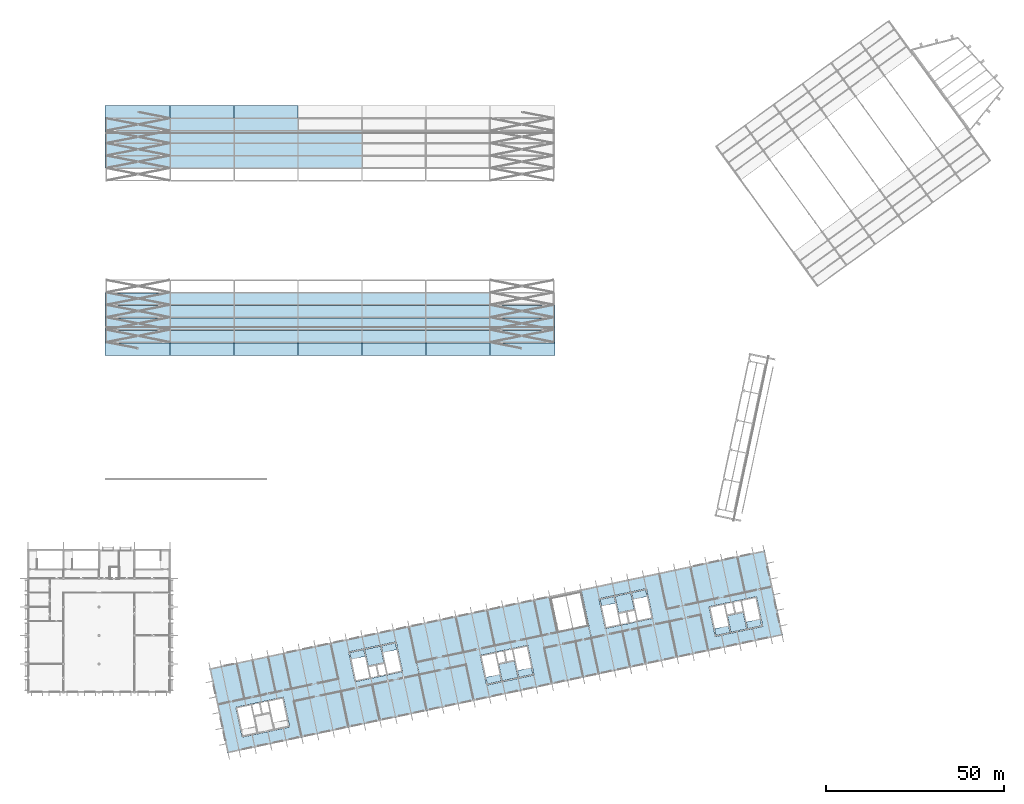
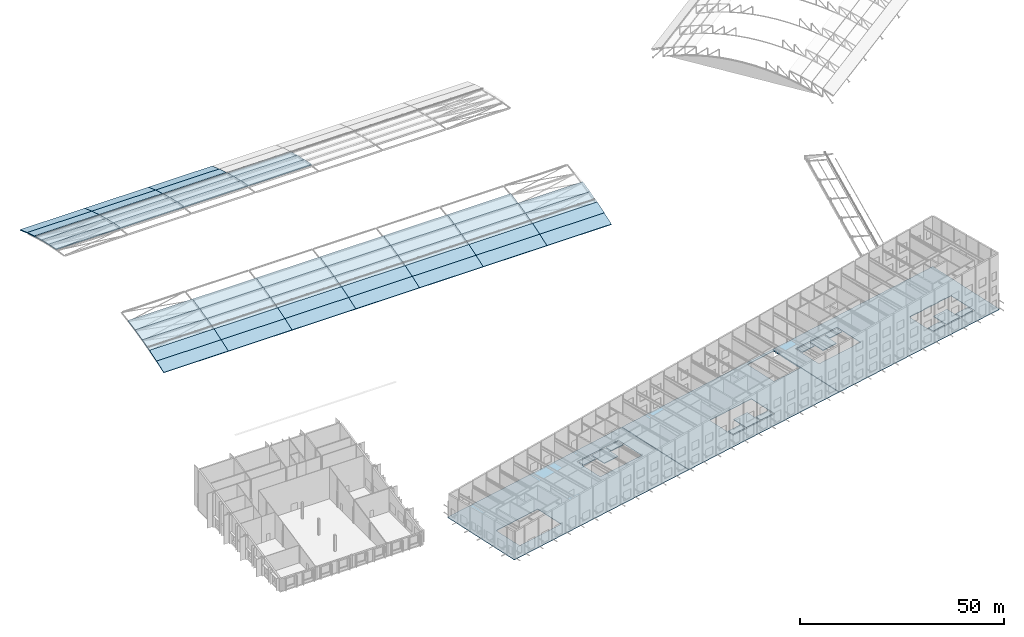
# One storey, part 35 of 69: 67 slabs.
"""IFC4 building model written with IfcOpenShell, lengths in metres."""

from ifc_helpers import new_model, si_unit, direction, frame, origin, place, context, subcontext, project, spatial, polyline, outline, extrude, material, layer, layer_set, type_object, element, save


model = new_model("IFC4")

# Units and contexts
model_context = context("Model", 3, precision=1e-05, world=origin(), true_north=direction((0.0, 1.0)))
body_context = subcontext(model_context, "Body", "Model", "MODEL_VIEW")
ifc_project = project(units=[si_unit("LENGTHUNIT", "METRE"), si_unit("AREAUNIT", "SQUARE_METRE"), si_unit("VOLUMEUNIT", "CUBIC_METRE"), si_unit("PLANEANGLEUNIT", "RADIAN"), si_unit("MASSUNIT", "GRAM", prefix="KILO")], contexts=[model_context])

# Site, building, storey
site_placement = place(None, origin())
site = spatial("IfcSite", under=ifc_project, at=site_placement, CompositionType="ELEMENT")
building_placement = place(site_placement, origin())
building = spatial("IfcBuilding", under=site, at=building_placement, Name="Okhra Congress Centre", CompositionType="ELEMENT")
storey_placement = place(building_placement, frame((0.0, 0.0, 16.800048828125)))
storey = spatial("IfcBuildingStorey", under=building, at=storey_placement, Name="L03", CompositionType="ELEMENT", Elevation=16.800048828125)

# Slabs
ifc_material_1 = material(Name="Concrete C30/37 on profiled steel deck", Category="concrete")
ifc_layer_1 = layer(ifc_material_1, 0.14990234375)
ifc_layer_set_1 = layer_set([ifc_layer_1], Name="Composite floor deck 150 REI 120 C30/37")
slab_type_1 = type_object("IfcSlabType", Name="Composite floor deck 150 REI 120 C30/37", PredefinedType="FLOOR", material=ifc_layer_set_1)
slab_1_placement = place(storey_placement, frame((0.0, 0.0, -0.150146484375)))
element("IfcSlab", 1, at=slab_1_placement, inside=storey, type_object=slab_type_1, Name="Floor slab L03 bay 1", PredefinedType="FLOOR", context=body_context, shape_type="SweptSolid", body=[
    extrude(outline(polyline([(57.05029296875, 50.733642578125), (62.1337890625, 26.81787109375), (118.23046875, 38.74169921875), (113.14697265625, 62.6572265625), (57.05029296875, 50.733642578125)]), holes=[polyline([(66.27587890625, 31.378662109375), (79.676513671875, 34.22705078125), (77.888671875, 42.63916015625), (64.488037109375, 39.790771484375), (66.27587890625, 31.378662109375)]), polyline([(96.239990234375, 55.383056640625), (98.028076171875, 46.97119140625), (111.4287109375, 49.819580078125), (109.640625, 58.2314453125), (96.239990234375, 55.383056640625)])]), origin(), (0.0, 0.0, 1.0), 0.150146484375),
])
slab_2_placement = place(storey_placement, frame((0.0, 0.0, -0.150146484375)))
element("IfcSlab", 2, at=slab_2_placement, inside=storey, type_object=slab_type_1, Name="Floor slab L03 bay 2", PredefinedType="FLOOR", context=body_context, shape_type="SweptSolid", body=[
    extrude(outline(polyline([(113.244873046875, 62.677978515625), (118.328369140625, 38.762451171875), (166.64892578125, 49.033203125), (161.5654296875, 72.948974609375), (113.244873046875, 62.677978515625)]), holes=[polyline([(146.65234375, 57.25537109375), (133.251708984375, 54.406982421875), (135.039794921875, 45.994873046875), (148.4404296875, 48.84326171875), (146.65234375, 57.25537109375)]), polyline([(153.1572265625, 70.420654296875), (155.17919921875, 60.907958984375), (163.59130859375, 62.696044921875), (161.5693359375, 72.20849609375), (153.1572265625, 70.420654296875)])]), origin(), (0.0, 0.0, 1.0), 0.150146484375),
])
slab_3_placement = place(storey_placement, frame((0.0, 0.0, -0.150146484375)))
element("IfcSlab", 3, at=slab_3_placement, inside=storey, type_object=slab_type_1, Name="Floor slab L03 bay 3", PredefinedType="FLOOR", context=body_context, shape_type="SweptSolid", body=[
    extrude(outline(polyline([(161.6630859375, 72.9697265625), (166.74658203125, 49.053955078125), (218.441650390625, 60.042236328125), (213.3583984375, 83.957763671875), (161.6630859375, 72.9697265625)]), holes=[polyline([(181.855224609375, 64.7890625), (180.067138671875, 73.201171875), (166.66650390625, 70.352783203125), (168.45458984375, 61.940673828125), (181.855224609375, 64.7890625)]), polyline([(199.40185546875, 59.675537109375), (212.802490234375, 62.52392578125), (211.014404296875, 70.93603515625), (197.61376953125, 68.087646484375), (199.40185546875, 59.675537109375)])]), origin(), (0.0, 0.0, 1.0), 0.150146484375),
])
ifc_material_2 = material(Name="Insulated metal sandwich roof panel (mineral wool core)")
ifc_layer_2 = layer(ifc_material_2, 0.25)
ifc_layer_set_2 = layer_set([ifc_layer_2], Name="Insulated roof panel 250")
slab_type_2 = type_object("IfcSlabType", Name="Insulated roof panel 250", PredefinedType="ROOF", material=ifc_layer_set_2)
slab_4_placement = place(storey_placement, frame((27.75, 138.822265625, 0.041259765625), z_axis=(0.0, -0.337548672866, 0.941308075736), x_axis=(1.0, 0.0, 0.0)))
element("IfcSlab", 4, at=slab_4_placement, inside=storey, type_object=slab_type_2, Name="EH.SLAB.L03.RP1-03", PredefinedType="ROOF", context=body_context, shape_type="SweptSolid", body=[
    extrude(outline(polyline([(0.0, 0.0), (18.25, 0.0), (18.25, 3.737163587886516), (0.0, 3.737163587886516), (0.0, 0.0)])), origin(), (0.0, 0.0, -1.0), 0.25),
])
slab_5_placement = place(storey_placement, frame((27.75, 142.340087890625, 1.302734375), z_axis=(0.0, -0.301960855226, 0.953320324923), x_axis=(1.0, 0.0, 0.0)))
element("IfcSlab", 5, at=slab_5_placement, inside=storey, type_object=slab_type_2, Name="EH.SLAB.L03.RP1-04", PredefinedType="ROOF", context=body_context, shape_type="SweptSolid", body=[
    extrude(outline(polyline([(0.0, 0.0), (18.25, 0.0), (18.25, 3.690073707291535), (0.0, 3.690073707291535), (0.0, 0.0)])), origin(), (0.0, 0.0, -1.0), 0.25),
])
slab_6_placement = place(storey_placement, frame((27.75, 145.85791015625, 2.4169921875), z_axis=(0.0, -0.266494830301, 0.963836347843), x_axis=(1.0, 0.0, 0.0)))
element("IfcSlab", 6, at=slab_6_placement, inside=storey, type_object=slab_type_2, Name="EH.SLAB.L03.RP1-05", PredefinedType="ROOF", context=body_context, shape_type="SweptSolid", body=[
    extrude(outline(polyline([(0.0, 0.0), (18.25, 0.0), (18.25, 3.649812827144848), (0.0, 3.649812827144848), (0.0, 0.0)])), origin(), (0.0, 0.0, -1.0), 0.25),
])
slab_7_placement = place(storey_placement, frame((27.75, 149.375732421875, 3.3896484375), z_axis=(0.0, -0.230950973735, 0.972965388763), x_axis=(1.0, 0.0, 0.0)))
element("IfcSlab", 7, at=slab_7_placement, inside=storey, type_object=slab_type_2, Name="EH.SLAB.L03.RP1-06", PredefinedType="ROOF", context=body_context, shape_type="SweptSolid", body=[
    extrude(outline(polyline([(0.0, 0.0), (18.25, 0.0), (18.25, 3.6153168094413797), (0.0, 3.6153168094413797), (0.0, 0.0)])), origin(), (0.0, 0.0, -1.0), 0.25),
])
for number, where, z_axis, x_axis, name in (
    (8, (27.75, 152.893310546875, 4.224609375), (0.0, -0.195409274661, 0.98072178286), (1.0, 0.0, 0.0), "EH.SLAB.L03.RP1-07"),
    (9, (27.75, 191.5888671875, 4.925537109375), (0.0, 0.195409274661, 0.98072178286), (1.0, 0.0, 0.0), "EH.SLAB.L03.RP1-18"),
):
    element("IfcSlab", number, at=place(storey_placement, frame(where, z_axis=z_axis, x_axis=x_axis)), inside=storey, type_object=slab_type_2, Name=name, PredefinedType="ROOF", context=body_context, shape_type="SweptSolid", body=[
        extrude(outline(polyline([(0.0, 0.0), (18.25, 0.0), (18.25, 3.5869727042930055), (0.0, 3.5869727042930055), (0.0, 0.0)])), origin(), (0.0, 0.0, -1.0), 0.25),
    ])
slab_8_placement = place(storey_placement, frame((27.75, 195.106689453125, 4.224609375), z_axis=(0.0, 0.230950973735, 0.972965388763), x_axis=(1.0, 0.0, 0.0)))
element("IfcSlab", 10, at=slab_8_placement, inside=storey, type_object=slab_type_2, Name="EH.SLAB.L03.RP1-19", PredefinedType="ROOF", context=body_context, shape_type="SweptSolid", body=[
    extrude(outline(polyline([(0.0, 0.0), (18.25, 0.0), (18.25, 3.6153168094413797), (0.0, 3.6153168094413797), (0.0, 0.0)])), origin(), (0.0, 0.0, -1.0), 0.25),
])
slab_9_placement = place(storey_placement, frame((27.75, 198.624267578125, 3.3896484375), z_axis=(0.0, 0.266494830301, 0.963836347843), x_axis=(1.0, 0.0, 0.0)))
element("IfcSlab", 11, at=slab_9_placement, inside=storey, type_object=slab_type_2, Name="EH.SLAB.L03.RP1-20", PredefinedType="ROOF", context=body_context, shape_type="SweptSolid", body=[
    extrude(outline(polyline([(0.0, 0.0), (18.25, 0.0), (18.25, 3.649812827144848), (0.0, 3.649812827144848), (0.0, 0.0)])), origin(), (0.0, 0.0, -1.0), 0.25),
])
slab_10_placement = place(storey_placement, frame((27.75, 202.14208984375, 2.4169921875), z_axis=(0.0, 0.301960855226, 0.953320324923), x_axis=(1.0, 0.0, 0.0)))
element("IfcSlab", 12, at=slab_10_placement, inside=storey, type_object=slab_type_2, Name="EH.SLAB.L03.RP1-21", PredefinedType="ROOF", context=body_context, shape_type="SweptSolid", body=[
    extrude(outline(polyline([(0.0, 0.0), (18.25, 0.0), (18.25, 3.690073707291535), (0.0, 3.690073707291535), (0.0, 0.0)])), origin(), (0.0, 0.0, -1.0), 0.25),
])
slab_11_placement = place(storey_placement, frame((27.75, 205.659912109375, 1.302734375), z_axis=(0.0, 0.337548672866, 0.941308075736), x_axis=(1.0, 0.0, 0.0)))
element("IfcSlab", 13, at=slab_11_placement, inside=storey, type_object=slab_type_2, Name="EH.SLAB.L03.RP1-22", PredefinedType="ROOF", context=body_context, shape_type="SweptSolid", body=[
    extrude(outline(polyline([(0.0, 0.0), (18.25, 0.0), (18.25, 3.737163587886516), (0.0, 3.737163587886516), (0.0, 0.0)])), origin(), (0.0, 0.0, -1.0), 0.25),
])
slab_12_placement = place(storey_placement, frame((46.0, 138.822265625, 0.041259765625), z_axis=(0.0, -0.337548672866, 0.941308075736), x_axis=(1.0, 0.0, 0.0)))
element("IfcSlab", 14, at=slab_12_placement, inside=storey, type_object=slab_type_2, Name="EH.SLAB.L03.RP2-03", PredefinedType="ROOF", context=body_context, shape_type="SweptSolid", body=[
    extrude(outline(polyline([(0.0, 0.0), (18.0, 0.0), (18.0, 3.737163587886516), (0.0, 3.737163587886516), (0.0, 0.0)])), origin(), (0.0, 0.0, -1.0), 0.25),
])
slab_13_placement = place(storey_placement, frame((46.0, 142.340087890625, 1.302734375), z_axis=(0.0, -0.301960855226, 0.953320324923), x_axis=(1.0, 0.0, 0.0)))
element("IfcSlab", 15, at=slab_13_placement, inside=storey, type_object=slab_type_2, Name="EH.SLAB.L03.RP2-04", PredefinedType="ROOF", context=body_context, shape_type="SweptSolid", body=[
    extrude(outline(polyline([(0.0, 0.0), (18.0, 0.0), (18.0, 3.6900737072915346), (0.0, 3.6900737072915346), (0.0, 0.0)])), origin(), (0.0, 0.0, -1.0), 0.25),
])
slab_14_placement = place(storey_placement, frame((46.0, 145.85791015625, 2.4169921875), z_axis=(0.0, -0.266494830301, 0.963836347843), x_axis=(1.0, 0.0, 0.0)))
element("IfcSlab", 16, at=slab_14_placement, inside=storey, type_object=slab_type_2, Name="EH.SLAB.L03.RP2-05", PredefinedType="ROOF", context=body_context, shape_type="SweptSolid", body=[
    extrude(outline(polyline([(0.0, 0.0), (18.0, 0.0), (18.0, 3.649812827144848), (0.0, 3.649812827144848), (0.0, 0.0)])), origin(), (0.0, 0.0, -1.0), 0.25),
])
slab_15_placement = place(storey_placement, frame((46.0, 149.375732421875, 3.3896484375), z_axis=(0.0, -0.230950973735, 0.972965388763), x_axis=(1.0, 0.0, 0.0)))
element("IfcSlab", 17, at=slab_15_placement, inside=storey, type_object=slab_type_2, Name="EH.SLAB.L03.RP2-06", PredefinedType="ROOF", context=body_context, shape_type="SweptSolid", body=[
    extrude(outline(polyline([(0.0, 0.0), (18.0, 0.0), (18.0, 3.6153168094413797), (0.0, 3.6153168094413797), (0.0, 0.0)])), origin(), (0.0, 0.0, -1.0), 0.25),
])
for number, where, z_axis, x_axis, name in (
    (18, (46.0, 152.893310546875, 4.224609375), (0.0, -0.195409274661, 0.98072178286), (1.0, 0.0, 0.0), "EH.SLAB.L03.RP2-07"),
    (19, (46.0, 191.5888671875, 4.925537109375), (0.0, 0.195409274661, 0.98072178286), (1.0, 0.0, 0.0), "EH.SLAB.L03.RP2-18"),
):
    element("IfcSlab", number, at=place(storey_placement, frame(where, z_axis=z_axis, x_axis=x_axis)), inside=storey, type_object=slab_type_2, Name=name, PredefinedType="ROOF", context=body_context, shape_type="SweptSolid", body=[
        extrude(outline(polyline([(0.0, 0.0), (18.0, 0.0), (18.0, 3.586972704293006), (0.0, 3.586972704293006), (0.0, 0.0)])), origin(), (0.0, 0.0, -1.0), 0.25),
    ])
slab_16_placement = place(storey_placement, frame((46.0, 195.106689453125, 4.224609375), z_axis=(0.0, 0.230950973735, 0.972965388763), x_axis=(1.0, 0.0, 0.0)))
element("IfcSlab", 20, at=slab_16_placement, inside=storey, type_object=slab_type_2, Name="EH.SLAB.L03.RP2-19", PredefinedType="ROOF", context=body_context, shape_type="SweptSolid", body=[
    extrude(outline(polyline([(0.0, 0.0), (18.0, 0.0), (18.0, 3.6153168094413797), (0.0, 3.6153168094413797), (0.0, 0.0)])), origin(), (0.0, 0.0, -1.0), 0.25),
])
slab_17_placement = place(storey_placement, frame((46.0, 198.624267578125, 3.3896484375), z_axis=(0.0, 0.266494830301, 0.963836347843), x_axis=(1.0, 0.0, 0.0)))
element("IfcSlab", 21, at=slab_17_placement, inside=storey, type_object=slab_type_2, Name="EH.SLAB.L03.RP2-20", PredefinedType="ROOF", context=body_context, shape_type="SweptSolid", body=[
    extrude(outline(polyline([(0.0, 0.0), (18.0, 0.0), (18.0, 3.649812827144848), (0.0, 3.649812827144848), (0.0, 0.0)])), origin(), (0.0, 0.0, -1.0), 0.25),
])
slab_18_placement = place(storey_placement, frame((46.0, 202.14208984375, 2.4169921875), z_axis=(0.0, 0.301960855226, 0.953320324923), x_axis=(1.0, 0.0, 0.0)))
element("IfcSlab", 22, at=slab_18_placement, inside=storey, type_object=slab_type_2, Name="EH.SLAB.L03.RP2-21", PredefinedType="ROOF", context=body_context, shape_type="SweptSolid", body=[
    extrude(outline(polyline([(0.0, 0.0), (18.0, 0.0), (18.0, 3.6900737072915346), (0.0, 3.6900737072915346), (0.0, 0.0)])), origin(), (0.0, 0.0, -1.0), 0.25),
])
for number, where, z_axis, x_axis, name in (
    (23, (46.0, 205.659912109375, 1.302734375), (0.0, 0.337548672866, 0.941308075736), (1.0, 0.0, 0.0), "EH.SLAB.L03.RP2-22"),
    (24, (64.0, 138.822265625, 0.041259765625), (0.0, -0.337548672866, 0.941308075736), (1.0, 0.0, 0.0), "EH.SLAB.L03.RP3-03"),
):
    element("IfcSlab", number, at=place(storey_placement, frame(where, z_axis=z_axis, x_axis=x_axis)), inside=storey, type_object=slab_type_2, Name=name, PredefinedType="ROOF", context=body_context, shape_type="SweptSolid", body=[
        extrude(outline(polyline([(0.0, 0.0), (18.0, 0.0), (18.0, 3.737163587886516), (0.0, 3.737163587886516), (0.0, 0.0)])), origin(), (0.0, 0.0, -1.0), 0.25),
    ])
slab_19_placement = place(storey_placement, frame((64.0, 142.340087890625, 1.302734375), z_axis=(0.0, -0.301960855226, 0.953320324923), x_axis=(1.0, 0.0, 0.0)))
element("IfcSlab", 25, at=slab_19_placement, inside=storey, type_object=slab_type_2, Name="EH.SLAB.L03.RP3-04", PredefinedType="ROOF", context=body_context, shape_type="SweptSolid", body=[
    extrude(outline(polyline([(0.0, 0.0), (18.0, 0.0), (18.0, 3.6900737072915346), (0.0, 3.6900737072915346), (0.0, 0.0)])), origin(), (0.0, 0.0, -1.0), 0.25),
])
slab_20_placement = place(storey_placement, frame((64.0, 145.85791015625, 2.4169921875), z_axis=(0.0, -0.266494830301, 0.963836347843), x_axis=(1.0, 0.0, 0.0)))
element("IfcSlab", 26, at=slab_20_placement, inside=storey, type_object=slab_type_2, Name="EH.SLAB.L03.RP3-05", PredefinedType="ROOF", context=body_context, shape_type="SweptSolid", body=[
    extrude(outline(polyline([(0.0, 0.0), (18.0, 0.0), (18.0, 3.649812827144848), (0.0, 3.649812827144848), (0.0, 0.0)])), origin(), (0.0, 0.0, -1.0), 0.25),
])
slab_21_placement = place(storey_placement, frame((64.0, 149.375732421875, 3.3896484375), z_axis=(0.0, -0.230950973735, 0.972965388763), x_axis=(1.0, 0.0, 0.0)))
element("IfcSlab", 27, at=slab_21_placement, inside=storey, type_object=slab_type_2, Name="EH.SLAB.L03.RP3-06", PredefinedType="ROOF", context=body_context, shape_type="SweptSolid", body=[
    extrude(outline(polyline([(0.0, 0.0), (18.0, 0.0), (18.0, 3.6153168094413797), (0.0, 3.6153168094413797), (0.0, 0.0)])), origin(), (0.0, 0.0, -1.0), 0.25),
])
for number, where, z_axis, x_axis, name in (
    (28, (64.0, 152.893310546875, 4.224609375), (0.0, -0.195409274661, 0.98072178286), (1.0, 0.0, 0.0), "EH.SLAB.L03.RP3-07"),
    (29, (64.0, 191.5888671875, 4.925537109375), (0.0, 0.195409274661, 0.98072178286), (1.0, 0.0, 0.0), "EH.SLAB.L03.RP3-18"),
):
    element("IfcSlab", number, at=place(storey_placement, frame(where, z_axis=z_axis, x_axis=x_axis)), inside=storey, type_object=slab_type_2, Name=name, PredefinedType="ROOF", context=body_context, shape_type="SweptSolid", body=[
        extrude(outline(polyline([(0.0, 0.0), (18.0, 0.0), (18.0, 3.586972704293006), (0.0, 3.586972704293006), (0.0, 0.0)])), origin(), (0.0, 0.0, -1.0), 0.25),
    ])
slab_22_placement = place(storey_placement, frame((64.0, 195.106689453125, 4.224609375), z_axis=(0.0, 0.230950973735, 0.972965388763), x_axis=(1.0, 0.0, 0.0)))
element("IfcSlab", 30, at=slab_22_placement, inside=storey, type_object=slab_type_2, Name="EH.SLAB.L03.RP3-19", PredefinedType="ROOF", context=body_context, shape_type="SweptSolid", body=[
    extrude(outline(polyline([(0.0, 0.0), (18.0, 0.0), (18.0, 3.6153168094413797), (0.0, 3.6153168094413797), (0.0, 0.0)])), origin(), (0.0, 0.0, -1.0), 0.25),
])
slab_23_placement = place(storey_placement, frame((64.0, 198.624267578125, 3.3896484375), z_axis=(0.0, 0.266494830301, 0.963836347843), x_axis=(1.0, 0.0, 0.0)))
element("IfcSlab", 31, at=slab_23_placement, inside=storey, type_object=slab_type_2, Name="EH.SLAB.L03.RP3-20", PredefinedType="ROOF", context=body_context, shape_type="SweptSolid", body=[
    extrude(outline(polyline([(0.0, 0.0), (18.0, 0.0), (18.0, 3.649812827144848), (0.0, 3.649812827144848), (0.0, 0.0)])), origin(), (0.0, 0.0, -1.0), 0.25),
])
slab_24_placement = place(storey_placement, frame((64.0, 202.14208984375, 2.4169921875), z_axis=(0.0, 0.301960855226, 0.953320324923), x_axis=(1.0, 0.0, 0.0)))
element("IfcSlab", 32, at=slab_24_placement, inside=storey, type_object=slab_type_2, Name="EH.SLAB.L03.RP3-21", PredefinedType="ROOF", context=body_context, shape_type="SweptSolid", body=[
    extrude(outline(polyline([(0.0, 0.0), (18.0, 0.0), (18.0, 3.6900737072915346), (0.0, 3.6900737072915346), (0.0, 0.0)])), origin(), (0.0, 0.0, -1.0), 0.25),
])
for number, where, z_axis, x_axis, name in (
    (33, (64.0, 205.659912109375, 1.302734375), (0.0, 0.337548672866, 0.941308075736), (1.0, 0.0, 0.0), "EH.SLAB.L03.RP3-22"),
    (34, (82.0, 138.822265625, 0.041259765625), (0.0, -0.337548672866, 0.941308075736), (1.0, 0.0, 0.0), "EH.SLAB.L03.RP4-03"),
):
    element("IfcSlab", number, at=place(storey_placement, frame(where, z_axis=z_axis, x_axis=x_axis)), inside=storey, type_object=slab_type_2, Name=name, PredefinedType="ROOF", context=body_context, shape_type="SweptSolid", body=[
        extrude(outline(polyline([(0.0, 0.0), (18.0, 0.0), (18.0, 3.737163587886516), (0.0, 3.737163587886516), (0.0, 0.0)])), origin(), (0.0, 0.0, -1.0), 0.25),
    ])
slab_25_placement = place(storey_placement, frame((82.0, 142.340087890625, 1.302734375), z_axis=(0.0, -0.301960855226, 0.953320324923), x_axis=(1.0, 0.0, 0.0)))
element("IfcSlab", 35, at=slab_25_placement, inside=storey, type_object=slab_type_2, Name="EH.SLAB.L03.RP4-04", PredefinedType="ROOF", context=body_context, shape_type="SweptSolid", body=[
    extrude(outline(polyline([(0.0, 0.0), (18.0, 0.0), (18.0, 3.6900737072915346), (0.0, 3.6900737072915346), (0.0, 0.0)])), origin(), (0.0, 0.0, -1.0), 0.25),
])
slab_26_placement = place(storey_placement, frame((82.0, 145.85791015625, 2.4169921875), z_axis=(0.0, -0.266494830301, 0.963836347843), x_axis=(1.0, 0.0, 0.0)))
element("IfcSlab", 36, at=slab_26_placement, inside=storey, type_object=slab_type_2, Name="EH.SLAB.L03.RP4-05", PredefinedType="ROOF", context=body_context, shape_type="SweptSolid", body=[
    extrude(outline(polyline([(0.0, 0.0), (18.0, 0.0), (18.0, 3.649812827144848), (0.0, 3.649812827144848), (0.0, 0.0)])), origin(), (0.0, 0.0, -1.0), 0.25),
])
slab_27_placement = place(storey_placement, frame((82.0, 149.375732421875, 3.3896484375), z_axis=(0.0, -0.230950973735, 0.972965388763), x_axis=(1.0, 0.0, 0.0)))
element("IfcSlab", 37, at=slab_27_placement, inside=storey, type_object=slab_type_2, Name="EH.SLAB.L03.RP4-06", PredefinedType="ROOF", context=body_context, shape_type="SweptSolid", body=[
    extrude(outline(polyline([(0.0, 0.0), (18.0, 0.0), (18.0, 3.6153168094413797), (0.0, 3.6153168094413797), (0.0, 0.0)])), origin(), (0.0, 0.0, -1.0), 0.25),
])
for number, where, z_axis, x_axis, name in (
    (38, (82.0, 152.893310546875, 4.224609375), (0.0, -0.195409274661, 0.98072178286), (1.0, 0.0, 0.0), "EH.SLAB.L03.RP4-07"),
    (39, (82.0, 191.5888671875, 4.925537109375), (0.0, 0.195409274661, 0.98072178286), (1.0, 0.0, 0.0), "EH.SLAB.L03.RP4-18"),
):
    element("IfcSlab", number, at=place(storey_placement, frame(where, z_axis=z_axis, x_axis=x_axis)), inside=storey, type_object=slab_type_2, Name=name, PredefinedType="ROOF", context=body_context, shape_type="SweptSolid", body=[
        extrude(outline(polyline([(0.0, 0.0), (18.0, 0.0), (18.0, 3.586972704293006), (0.0, 3.586972704293006), (0.0, 0.0)])), origin(), (0.0, 0.0, -1.0), 0.25),
    ])
slab_28_placement = place(storey_placement, frame((82.0, 195.106689453125, 4.224609375), z_axis=(0.0, 0.230950973735, 0.972965388763), x_axis=(1.0, 0.0, 0.0)))
element("IfcSlab", 40, at=slab_28_placement, inside=storey, type_object=slab_type_2, Name="EH.SLAB.L03.RP4-19", PredefinedType="ROOF", context=body_context, shape_type="SweptSolid", body=[
    extrude(outline(polyline([(0.0, 0.0), (18.0, 0.0), (18.0, 3.6153168094413797), (0.0, 3.6153168094413797), (0.0, 0.0)])), origin(), (0.0, 0.0, -1.0), 0.25),
])
slab_29_placement = place(storey_placement, frame((82.0, 198.624267578125, 3.3896484375), z_axis=(0.0, 0.266494830301, 0.963836347843), x_axis=(1.0, 0.0, 0.0)))
element("IfcSlab", 41, at=slab_29_placement, inside=storey, type_object=slab_type_2, Name="EH.SLAB.L03.RP4-20", PredefinedType="ROOF", context=body_context, shape_type="SweptSolid", body=[
    extrude(outline(polyline([(0.0, 0.0), (18.0, 0.0), (18.0, 3.649812827144848), (0.0, 3.649812827144848), (0.0, 0.0)])), origin(), (0.0, 0.0, -1.0), 0.25),
])
slab_30_placement = place(storey_placement, frame((100.0, 138.822265625, 0.041259765625), z_axis=(0.0, -0.337548672866, 0.941308075736), x_axis=(1.0, 0.0, 0.0)))
element("IfcSlab", 42, at=slab_30_placement, inside=storey, type_object=slab_type_2, Name="EH.SLAB.L03.RP5-03", PredefinedType="ROOF", context=body_context, shape_type="SweptSolid", body=[
    extrude(outline(polyline([(0.0, 0.0), (18.0, 0.0), (18.0, 3.737163587886516), (0.0, 3.737163587886516), (0.0, 0.0)])), origin(), (0.0, 0.0, -1.0), 0.25),
])
slab_31_placement = place(storey_placement, frame((100.0, 142.340087890625, 1.302734375), z_axis=(0.0, -0.301960855226, 0.953320324923), x_axis=(1.0, 0.0, 0.0)))
element("IfcSlab", 43, at=slab_31_placement, inside=storey, type_object=slab_type_2, Name="EH.SLAB.L03.RP5-04", PredefinedType="ROOF", context=body_context, shape_type="SweptSolid", body=[
    extrude(outline(polyline([(0.0, 0.0), (18.0, 0.0), (18.0, 3.6900737072915346), (0.0, 3.6900737072915346), (0.0, 0.0)])), origin(), (0.0, 0.0, -1.0), 0.25),
])
slab_32_placement = place(storey_placement, frame((100.0, 145.85791015625, 2.4169921875), z_axis=(0.0, -0.266494830301, 0.963836347843), x_axis=(1.0, 0.0, 0.0)))
element("IfcSlab", 44, at=slab_32_placement, inside=storey, type_object=slab_type_2, Name="EH.SLAB.L03.RP5-05", PredefinedType="ROOF", context=body_context, shape_type="SweptSolid", body=[
    extrude(outline(polyline([(0.0, 0.0), (18.0, 0.0), (18.0, 3.649812827144848), (0.0, 3.649812827144848), (0.0, 0.0)])), origin(), (0.0, 0.0, -1.0), 0.25),
])
slab_33_placement = place(storey_placement, frame((100.0, 149.375732421875, 3.3896484375), z_axis=(0.0, -0.230950973735, 0.972965388763), x_axis=(1.0, 0.0, 0.0)))
element("IfcSlab", 45, at=slab_33_placement, inside=storey, type_object=slab_type_2, Name="EH.SLAB.L03.RP5-06", PredefinedType="ROOF", context=body_context, shape_type="SweptSolid", body=[
    extrude(outline(polyline([(0.0, 0.0), (18.0, 0.0), (18.0, 3.6153168094413797), (0.0, 3.6153168094413797), (0.0, 0.0)])), origin(), (0.0, 0.0, -1.0), 0.25),
])
slab_34_placement = place(storey_placement, frame((100.0, 152.893310546875, 4.224609375), z_axis=(0.0, -0.195409274661, 0.98072178286), x_axis=(1.0, 0.0, 0.0)))
element("IfcSlab", 46, at=slab_34_placement, inside=storey, type_object=slab_type_2, Name="EH.SLAB.L03.RP5-07", PredefinedType="ROOF", context=body_context, shape_type="SweptSolid", body=[
    extrude(outline(polyline([(0.0, 0.0), (18.0, 0.0), (18.0, 3.586972704293006), (0.0, 3.586972704293006), (0.0, 0.0)])), origin(), (0.0, 0.0, -1.0), 0.25),
])
slab_35_placement = place(storey_placement, frame((118.0, 138.822265625, 0.041259765625), z_axis=(0.0, -0.337548672866, 0.941308075736), x_axis=(1.0, 0.0, 0.0)))
element("IfcSlab", 47, at=slab_35_placement, inside=storey, type_object=slab_type_2, Name="EH.SLAB.L03.RP6-03", PredefinedType="ROOF", context=body_context, shape_type="SweptSolid", body=[
    extrude(outline(polyline([(0.0, 0.0), (18.0, 0.0), (18.0, 3.737163587886516), (0.0, 3.737163587886516), (0.0, 0.0)])), origin(), (0.0, 0.0, -1.0), 0.25),
])
slab_36_placement = place(storey_placement, frame((118.0, 142.340087890625, 1.302734375), z_axis=(0.0, -0.301960855226, 0.953320324923), x_axis=(1.0, 0.0, 0.0)))
element("IfcSlab", 48, at=slab_36_placement, inside=storey, type_object=slab_type_2, Name="EH.SLAB.L03.RP6-04", PredefinedType="ROOF", context=body_context, shape_type="SweptSolid", body=[
    extrude(outline(polyline([(0.0, 0.0), (18.0, 0.0), (18.0, 3.6900737072915346), (0.0, 3.6900737072915346), (0.0, 0.0)])), origin(), (0.0, 0.0, -1.0), 0.25),
])
slab_37_placement = place(storey_placement, frame((118.0, 145.85791015625, 2.4169921875), z_axis=(0.0, -0.266494830301, 0.963836347843), x_axis=(1.0, 0.0, 0.0)))
element("IfcSlab", 49, at=slab_37_placement, inside=storey, type_object=slab_type_2, Name="EH.SLAB.L03.RP6-05", PredefinedType="ROOF", context=body_context, shape_type="SweptSolid", body=[
    extrude(outline(polyline([(0.0, 0.0), (18.0, 0.0), (18.0, 3.649812827144848), (0.0, 3.649812827144848), (0.0, 0.0)])), origin(), (0.0, 0.0, -1.0), 0.25),
])
slab_38_placement = place(storey_placement, frame((118.0, 149.375732421875, 3.3896484375), z_axis=(0.0, -0.230950973735, 0.972965388763), x_axis=(1.0, 0.0, 0.0)))
element("IfcSlab", 50, at=slab_38_placement, inside=storey, type_object=slab_type_2, Name="EH.SLAB.L03.RP6-06", PredefinedType="ROOF", context=body_context, shape_type="SweptSolid", body=[
    extrude(outline(polyline([(0.0, 0.0), (18.0, 0.0), (18.0, 3.6153168094413797), (0.0, 3.6153168094413797), (0.0, 0.0)])), origin(), (0.0, 0.0, -1.0), 0.25),
])
slab_39_placement = place(storey_placement, frame((118.0, 152.893310546875, 4.224609375), z_axis=(0.0, -0.195409274661, 0.98072178286), x_axis=(1.0, 0.0, 0.0)))
element("IfcSlab", 51, at=slab_39_placement, inside=storey, type_object=slab_type_2, Name="EH.SLAB.L03.RP6-07", PredefinedType="ROOF", context=body_context, shape_type="SweptSolid", body=[
    extrude(outline(polyline([(0.0, 0.0), (18.0, 0.0), (18.0, 3.586972704293006), (0.0, 3.586972704293006), (0.0, 0.0)])), origin(), (0.0, 0.0, -1.0), 0.25),
])
slab_40_placement = place(storey_placement, frame((136.0, 138.822265625, 0.041259765625), z_axis=(0.0, -0.337548672866, 0.941308075736), x_axis=(1.0, 0.0, 0.0)))
element("IfcSlab", 52, at=slab_40_placement, inside=storey, type_object=slab_type_2, Name="EH.SLAB.L03.RP7-03", PredefinedType="ROOF", context=body_context, shape_type="SweptSolid", body=[
    extrude(outline(polyline([(0.0, 0.0), (18.25, 0.0), (18.25, 3.737163587886516), (0.0, 3.737163587886516), (0.0, 0.0)])), origin(), (0.0, 0.0, -1.0), 0.25),
])
slab_41_placement = place(storey_placement, frame((136.0, 142.340087890625, 1.302734375), z_axis=(0.0, -0.301960855226, 0.953320324923), x_axis=(1.0, 0.0, 0.0)))
element("IfcSlab", 53, at=slab_41_placement, inside=storey, type_object=slab_type_2, Name="EH.SLAB.L03.RP7-04", PredefinedType="ROOF", context=body_context, shape_type="SweptSolid", body=[
    extrude(outline(polyline([(0.0, 0.0), (18.25, 0.0), (18.25, 3.690073707291535), (0.0, 3.690073707291535), (0.0, 0.0)])), origin(), (0.0, 0.0, -1.0), 0.25),
])
slab_42_placement = place(storey_placement, frame((136.0, 145.85791015625, 2.4169921875), z_axis=(0.0, -0.266494830301, 0.963836347843), x_axis=(1.0, 0.0, 0.0)))
element("IfcSlab", 54, at=slab_42_placement, inside=storey, type_object=slab_type_2, Name="EH.SLAB.L03.RP7-05", PredefinedType="ROOF", context=body_context, shape_type="SweptSolid", body=[
    extrude(outline(polyline([(0.0, 0.0), (18.25, 0.0), (18.25, 3.649812827144848), (0.0, 3.649812827144848), (0.0, 0.0)])), origin(), (0.0, 0.0, -1.0), 0.25),
])
slab_43_placement = place(storey_placement, frame((136.0, 149.375732421875, 3.3896484375), z_axis=(0.0, -0.230950973735, 0.972965388763), x_axis=(1.0, 0.0, 0.0)))
element("IfcSlab", 55, at=slab_43_placement, inside=storey, type_object=slab_type_2, Name="EH.SLAB.L03.RP7-06", PredefinedType="ROOF", context=body_context, shape_type="SweptSolid", body=[
    extrude(outline(polyline([(0.0, 0.0), (18.25, 0.0), (18.25, 3.6153168094413797), (0.0, 3.6153168094413797), (0.0, 0.0)])), origin(), (0.0, 0.0, -1.0), 0.25),
])
ifc_material_3 = material(Name="Concrete C30/37", Category="concrete")
ifc_layer_3 = layer(ifc_material_3, 0.199951171875)
ifc_layer_set_3 = layer_set([ifc_layer_3], Name="RC floor slab 200 REI 120 C30/37")
slab_type_3 = type_object("IfcSlabType", Name="RC floor slab 200 REI 120 C30/37", PredefinedType="FLOOR", material=ifc_layer_set_3)
slab_44_placement = place(storey_placement, frame((0.0, 0.0, -0.199951171875)))
element("IfcSlab", 56, at=slab_44_placement, inside=storey, type_object=slab_type_3, Name="Stair floor landing 2A L03", PredefinedType="FLOOR", context=body_context, shape_type="SweptSolid", body=[
    extrude(outline(polyline([(96.58984375, 55.156005859375), (100.51220703125, 55.98974609375), (100.909423828125, 54.121337890625), (96.987060546875, 53.28759765625), (96.58984375, 55.156005859375)])), origin(), (0.0, 0.0, 1.0), 0.199951171875),
])
slab_45_placement = place(storey_placement, frame((0.0, 0.0, -0.199951171875)))
element("IfcSlab", 57, at=slab_45_placement, inside=storey, type_object=slab_type_3, Name="Stair floor landing 2B L03", PredefinedType="FLOOR", context=body_context, shape_type="SweptSolid", body=[
    extrude(outline(polyline([(105.490966796875, 57.0478515625), (109.413330078125, 57.881591796875), (109.810546875, 56.013427734375), (105.88818359375, 55.1796875), (105.490966796875, 57.0478515625)])), origin(), (0.0, 0.0, 1.0), 0.199951171875),
])
slab_46_placement = place(storey_placement, frame((0.0, 0.0, -0.199951171875)))
element("IfcSlab", 58, at=slab_46_placement, inside=storey, type_object=slab_type_3, Name="Riser room floor 2 L03", PredefinedType="FLOOR", context=body_context, shape_type="SweptSolid", body=[
    extrude(outline(polyline([(101.779052734375, 51.44873046875), (106.1806640625, 52.384521484375), (105.20361328125, 56.981689453125), (100.8017578125, 56.046142578125), (101.779052734375, 51.44873046875)])), origin(), (0.0, 0.0, 1.0), 0.199951171875),
])
slab_47_placement = place(storey_placement, frame((0.0, 0.0, -0.199951171875)))
element("IfcSlab", 59, at=slab_47_placement, inside=storey, type_object=slab_type_3, Name="Stair floor landing 3A L03", PredefinedType="FLOOR", context=body_context, shape_type="SweptSolid", body=[
    extrude(outline(polyline([(139.189453125, 47.178466796875), (135.26708984375, 46.3447265625), (134.869873046875, 48.213134765625), (138.792236328125, 49.046875), (139.189453125, 47.178466796875)])), origin(), (0.0, 0.0, 1.0), 0.199951171875),
])
slab_48_placement = place(storey_placement, frame((0.0, 0.0, -0.199951171875)))
element("IfcSlab", 60, at=slab_48_placement, inside=storey, type_object=slab_type_3, Name="Stair floor landing 3B L03", PredefinedType="FLOOR", context=body_context, shape_type="SweptSolid", body=[
    extrude(outline(polyline([(148.090576171875, 49.070556640625), (144.168212890625, 48.23681640625), (143.77099609375, 50.10498046875), (147.693359375, 50.938720703125), (148.090576171875, 49.070556640625)])), origin(), (0.0, 0.0, 1.0), 0.199951171875),
])
slab_49_placement = place(storey_placement, frame((0.0, 0.0, -0.199951171875)))
element("IfcSlab", 61, at=slab_49_placement, inside=storey, type_object=slab_type_3, Name="Riser room floor 3 L03", PredefinedType="FLOOR", context=body_context, shape_type="SweptSolid", body=[
    extrude(outline(polyline([(139.476806640625, 47.244873046875), (143.87841796875, 48.180419921875), (142.9013671875, 52.777587890625), (138.499755859375, 51.842041015625), (139.476806640625, 47.244873046875)])), origin(), (0.0, 0.0, 1.0), 0.199951171875),
])
slab_50_placement = place(storey_placement, frame((0.0, 0.0, -0.199951171875)))
element("IfcSlab", 62, at=slab_50_placement, inside=storey, type_object=slab_type_3, Name="Stair floor landing 4A L03", PredefinedType="FLOOR", context=body_context, shape_type="SweptSolid", body=[
    extrude(outline(polyline([(167.0166015625, 70.12548828125), (170.93896484375, 70.959228515625), (171.3359375, 69.091064453125), (167.41357421875, 68.25732421875), (167.0166015625, 70.12548828125)])), origin(), (0.0, 0.0, 1.0), 0.199951171875),
])
slab_51_placement = place(storey_placement, frame((0.0, 0.0, -0.199951171875)))
element("IfcSlab", 63, at=slab_51_placement, inside=storey, type_object=slab_type_3, Name="Stair floor landing 4B L03", PredefinedType="FLOOR", context=body_context, shape_type="SweptSolid", body=[
    extrude(outline(polyline([(175.917724609375, 72.017578125), (179.840087890625, 72.851318359375), (180.237060546875, 70.983154296875), (176.314697265625, 70.1494140625), (175.917724609375, 72.017578125)])), origin(), (0.0, 0.0, 1.0), 0.199951171875),
])
slab_52_placement = place(storey_placement, frame((0.0, 0.0, -0.199951171875)))
element("IfcSlab", 64, at=slab_52_placement, inside=storey, type_object=slab_type_3, Name="Riser room floor 4 L03", PredefinedType="FLOOR", context=body_context, shape_type="SweptSolid", body=[
    extrude(outline(polyline([(172.20556640625, 66.41845703125), (176.607421875, 67.35400390625), (175.630126953125, 71.951416015625), (171.228515625, 71.015869140625), (172.20556640625, 66.41845703125)])), origin(), (0.0, 0.0, 1.0), 0.199951171875),
])
slab_53_placement = place(storey_placement, frame((0.0, 0.0, -0.199951171875)))
element("IfcSlab", 65, at=slab_53_placement, inside=storey, type_object=slab_type_3, Name="Stair floor landing 5A L03", PredefinedType="FLOOR", context=body_context, shape_type="SweptSolid", body=[
    extrude(outline(polyline([(203.551513671875, 60.859130859375), (199.629150390625, 60.025390625), (199.23193359375, 61.893798828125), (203.154296875, 62.727294921875), (203.551513671875, 60.859130859375)])), origin(), (0.0, 0.0, 1.0), 0.199951171875),
])
slab_54_placement = place(storey_placement, frame((0.0, 0.0, -0.199951171875)))
element("IfcSlab", 66, at=slab_54_placement, inside=storey, type_object=slab_type_3, Name="Stair floor landing 5B L03", PredefinedType="FLOOR", context=body_context, shape_type="SweptSolid", body=[
    extrude(outline(polyline([(212.45263671875, 62.751220703125), (208.5302734375, 61.91748046875), (208.133056640625, 63.78564453125), (212.055419921875, 64.619384765625), (212.45263671875, 62.751220703125)])), origin(), (0.0, 0.0, 1.0), 0.199951171875),
])
slab_55_placement = place(storey_placement, frame((0.0, 0.0, -0.199951171875)))
element("IfcSlab", 67, at=slab_55_placement, inside=storey, type_object=slab_type_3, Name="Riser room floor 5 L03", PredefinedType="FLOOR", context=body_context, shape_type="SweptSolid", body=[
    extrude(outline(polyline([(203.8388671875, 60.92529296875), (208.24072265625, 61.861083984375), (207.263427734375, 66.458251953125), (202.86181640625, 65.522705078125), (203.8388671875, 60.92529296875)])), origin(), (0.0, 0.0, 1.0), 0.199951171875),
])

save(model, "model.ifc")
